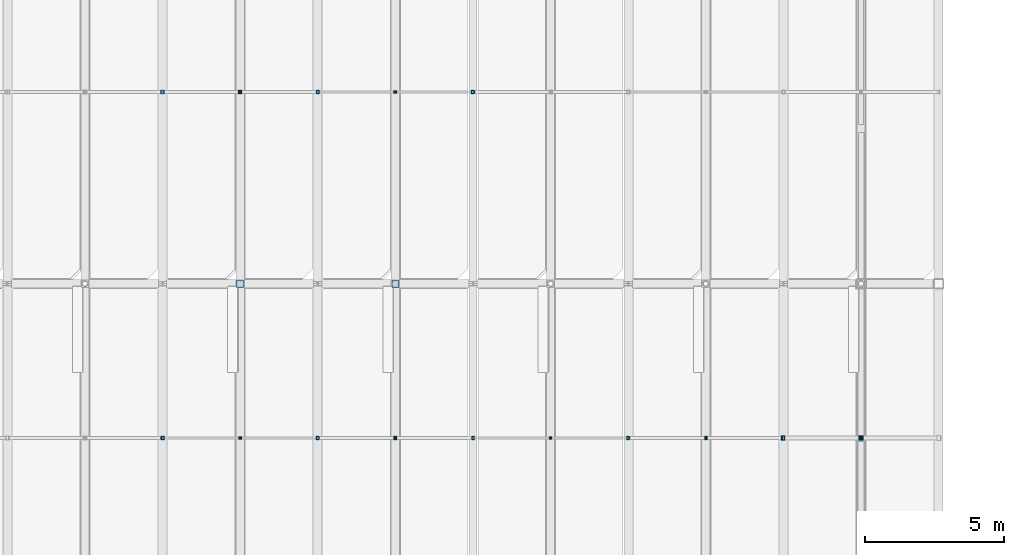
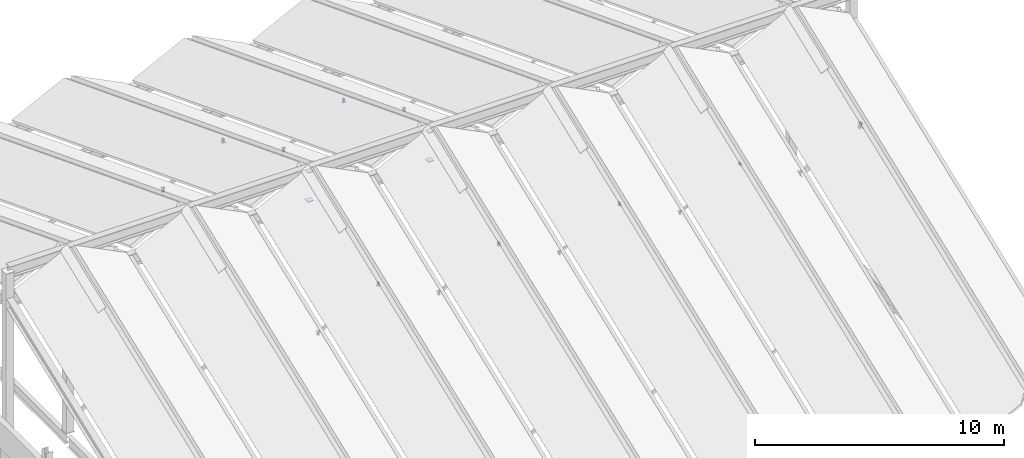
# One storey, part 33 of 49: 34 plates.
"""IFC4 building model written with IfcOpenShell, lengths in metres."""

from ifc_helpers import new_model, si_unit, direction, frame, origin, origin_2d, place, context, subcontext, project, spatial, rectangle, extrude, material, material_profile, profile_set, type_object, element, save


model = new_model("IFC4")

# Units and contexts
model_context = context("Model", 3, precision=1e-05, world=origin(), true_north=direction((0.0, 1.0)))
body_context = subcontext(model_context, "Body", "Model", "MODEL_VIEW")
ifc_project = project(units=[si_unit("LENGTHUNIT", "METRE"), si_unit("AREAUNIT", "SQUARE_METRE"), si_unit("VOLUMEUNIT", "CUBIC_METRE"), si_unit("PLANEANGLEUNIT", "RADIAN"), si_unit("MASSUNIT", "GRAM", prefix="KILO")], contexts=[model_context])

# Site, building, storey
site_placement = place(None, origin())
site = spatial("IfcSite", under=ifc_project, at=site_placement, CompositionType="ELEMENT")
building_placement = place(site_placement, origin())
building = spatial("IfcBuilding", under=site, at=building_placement, Name="Vinh Khe Railworks Police Headquarters", CompositionType="ELEMENT")
storey_placement = place(building_placement, frame((0.0, 0.0, 17.10009765625)))
storey = spatial("IfcBuildingStorey", under=building, at=storey_placement, Name="L04", CompositionType="ELEMENT", Elevation=17.10009765625)

# Plates
ifc_material = material(Name="Steel S355JR", Category="steel")
ifc_material_profile_1 = material_profile(ifc_material, rectangle(XDim=0.1201171875, YDim=0.159912109375, at=origin_2d()), Name="PL 120x160")
ifc_profile_set_1 = profile_set([ifc_material_profile_1], Name="Steel S355JR")
plate_type_1 = type_object("IfcPlateType", Name="Steel End-Cap Plate 120x160x24", PredefinedType="SHEET", material=ifc_profile_set_1)
for number, where, z_axis, x_axis, name in (
    (1, (46.0, 36.432861328125, 5.260009765625), (-0.894427191, 0.0, -0.4472135955), (0.0, -1.0, 0.0), "End-Cap Gusset Plate PLT-EP-0444"),
    (2, (48.800048828125, 36.432861328125, 6.659912109375), (-0.894427191, 0.0, 0.4472135955), (0.0, -1.0, 0.0), "End-Cap Gusset Plate PLT-EP-0470"),
    (3, (48.800048828125, 36.432861328125, 6.659912109375), (0.894427191, 0.0, 0.4472135955), (0.0, 1.0, 0.0), "End-Cap Gusset Plate PLT-EP-0471"),
    (4, (51.60009765625, 36.432861328125, 5.260009765625), (0.894427191, 0.0, -0.4472135955), (0.0, 1.0, 0.0), "End-Cap Gusset Plate PLT-EP-0515"),
):
    element("IfcPlate", number, at=place(storey_placement, frame(where, z_axis=z_axis, x_axis=x_axis)), inside=storey, type_object=plate_type_1, Name=name, PredefinedType="SHEET", context=body_context, shape_type="SweptSolid", body=[
        extrude(rectangle(XDim=0.1201171875, YDim=0.159912109375, at=origin_2d()), origin(), (0.0, 0.0, 1.0), 0.02392578125),
    ])
ifc_material_profile_2 = material_profile(ifc_material, rectangle(XDim=0.1201171875, YDim=0.199951171875, at=origin_2d()), Name="PL 120x200")
ifc_profile_set_2 = profile_set([ifc_material_profile_2], Name="Steel S355JR")
plate_type_2 = type_object("IfcPlateType", Name="Steel End-Cap Plate 120x200x24", PredefinedType="SHEET", material=ifc_profile_set_2)
for number, where, z_axis, x_axis, name in (
    (5, (34.800048828125, 36.432861328125, 5.239990234375), (-0.894427191, 0.0, -0.4472135955), (0.0, -1.0, 0.0), "End-Cap Gusset Plate PLT-EP-0329"),
    (6, (37.60009765625, 36.432861328125, 6.64013671875), (-0.898473867353, 0.0, 0.439027003366), (0.0, -1.0, 0.0), "End-Cap Gusset Plate PLT-EP-0370"),
    (7, (37.60009765625, 36.432861328125, 6.64013671875), (0.898473867353, 0.0, 0.439027003366), (0.0, 1.0, 0.0), "End-Cap Gusset Plate PLT-EP-0371"),
    (8, (40.39990234375, 36.432861328125, 5.239990234375), (0.894427191, 0.0, -0.4472135955), (0.0, 1.0, 0.0), "End-Cap Gusset Plate PLT-EP-0391"),
    (9, (40.39990234375, 48.9140625, 4.7177734375), (-0.894427191, 0.0, -0.4472135955), (0.0, -1.0, 0.0), "End-Cap Gusset Plate PLT-EP-0392"),
    (10, (43.199951171875, 48.9140625, 6.11767578125), (-0.894427191, 0.0, 0.4472135955), (0.0, -1.0, 0.0), "End-Cap Gusset Plate PLT-EP-0420"),
    (11, (43.199951171875, 48.9140625, 6.11767578125), (0.894427191, 0.0, 0.4472135955), (0.0, 1.0, 0.0), "End-Cap Gusset Plate PLT-EP-0421"),
    (12, (46.0, 48.9140625, 4.7177734375), (0.894427191, 0.0, -0.4472135955), (0.0, 1.0, 0.0), "End-Cap Gusset Plate PLT-EP-0446"),
):
    element("IfcPlate", number, at=place(storey_placement, frame(where, z_axis=z_axis, x_axis=x_axis)), inside=storey, type_object=plate_type_2, Name=name, PredefinedType="SHEET", context=body_context, shape_type="SweptSolid", body=[
        extrude(rectangle(XDim=0.1201171875, YDim=0.199951171875, at=origin_2d()), origin(), (0.0, 0.0, 1.0), 0.02392578125),
    ])
ifc_material_profile_3 = material_profile(ifc_material, rectangle(XDim=0.139892578125, YDim=0.139892578125, at=origin_2d()), Name="PL 140x140")
ifc_profile_set_3 = profile_set([ifc_material_profile_3], Name="Steel S355JR")
plate_type_3 = type_object("IfcPlateType", Name="Steel End-Cap Plate 140x140x24", PredefinedType="SHEET", material=ifc_profile_set_3)
for number, where, z_axis, x_axis, name in (
    (13, (51.60009765625, 36.432861328125, 5.27001953125), (-0.894427191, 0.0, -0.4472135955), (0.0, -1.0, 0.0), "End-Cap Gusset Plate PLT-EP-0514"),
    (14, (54.39990234375, 36.432861328125, 6.669921875), (-0.894427191, 0.0, 0.4472135955), (0.0, -1.0, 0.0), "End-Cap Gusset Plate PLT-EP-0532"),
    (15, (54.39990234375, 36.432861328125, 6.669921875), (0.894427191, 0.0, 0.4472135955), (0.0, 1.0, 0.0), "End-Cap Gusset Plate PLT-EP-0533"),
    (16, (57.199951171875, 36.432861328125, 5.27001953125), (0.894427191, 0.0, -0.4472135955), (0.0, 1.0, 0.0), "End-Cap Gusset Plate PLT-EP-0545"),
):
    element("IfcPlate", number, at=place(storey_placement, frame(where, z_axis=z_axis, x_axis=x_axis)), inside=storey, type_object=plate_type_3, Name=name, PredefinedType="SHEET", context=body_context, shape_type="SweptSolid", body=[
        extrude(rectangle(XDim=0.139892578125, YDim=0.139892578125, at=origin_2d()), origin(), (0.0, 0.0, 1.0), 0.02392578125),
    ])
ifc_material_profile_4 = material_profile(ifc_material, rectangle(XDim=0.139892578125, YDim=0.18994140625, at=origin_2d()), Name="PL 140x190")
ifc_profile_set_4 = profile_set([ifc_material_profile_4], Name="Steel S355JR")
plate_type_4 = type_object("IfcPlateType", Name="Steel End-Cap Plate 140x190x24", PredefinedType="SHEET", material=ifc_profile_set_4)
for number, where, z_axis, x_axis, name in (
    (17, (40.39990234375, 36.432861328125, 5.2451171875), (-0.894427191, 0.0, -0.4472135955), (0.0, -1.0, 0.0), "End-Cap Gusset Plate PLT-EP-0390"),
    (18, (43.199951171875, 36.432861328125, 6.64501953125), (-0.894427191, 0.0, 0.4472135955), (0.0, -1.0, 0.0), "End-Cap Gusset Plate PLT-EP-0416"),
    (19, (43.199951171875, 36.432861328125, 6.64501953125), (0.894427191, 0.0, 0.4472135955), (0.0, 1.0, 0.0), "End-Cap Gusset Plate PLT-EP-0417"),
    (20, (46.0, 36.432861328125, 5.2451171875), (0.894427191, 0.0, -0.4472135955), (0.0, 1.0, 0.0), "End-Cap Gusset Plate PLT-EP-0445"),
    (21, (46.0, 48.9140625, 4.722900390625), (-0.894427191, 0.0, -0.4472135955), (0.0, -1.0, 0.0), "End-Cap Gusset Plate PLT-EP-0447"),
):
    element("IfcPlate", number, at=place(storey_placement, frame(where, z_axis=z_axis, x_axis=x_axis)), inside=storey, type_object=plate_type_4, Name=name, PredefinedType="SHEET", context=body_context, shape_type="SweptSolid", body=[
        extrude(rectangle(XDim=0.139892578125, YDim=0.18994140625, at=origin_2d()), origin(), (0.0, 0.0, 1.0), 0.02392578125),
    ])
ifc_material_profile_5 = material_profile(ifc_material, rectangle(XDim=0.139892578125, YDim=0.219970703125, at=origin_2d()), Name="PL 140x220")
ifc_profile_set_5 = profile_set([ifc_material_profile_5], Name="Steel S355JR")
plate_type_5 = type_object("IfcPlateType", Name="Steel End-Cap Plate 140x220x24", PredefinedType="SHEET", material=ifc_profile_set_5)
for number, where, z_axis, x_axis, name in (
    (22, (34.800048828125, 36.432861328125, 5.22998046875), (0.894427191, 0.0, -0.4472135955), (0.0, 1.0, 0.0), "End-Cap Gusset Plate PLT-EP-0328"),
    (23, (34.800048828125, 48.9140625, 4.707763671875), (-0.894427191, 0.0, -0.4472135955), (0.0, -1.0, 0.0), "End-Cap Gusset Plate PLT-EP-0330"),
    (24, (37.60009765625, 48.9140625, 6.10791015625), (-0.898473867353, 0.0, 0.439027003366), (0.0, -1.0, 0.0), "End-Cap Gusset Plate PLT-EP-0374"),
    (25, (37.60009765625, 48.9140625, 6.10791015625), (0.898473867353, 0.0, 0.439027003366), (0.0, 1.0, 0.0), "End-Cap Gusset Plate PLT-EP-0375"),
    (26, (40.39990234375, 48.9140625, 4.707763671875), (0.894427191, 0.0, -0.4472135955), (0.0, 1.0, 0.0), "End-Cap Gusset Plate PLT-EP-0393"),
):
    element("IfcPlate", number, at=place(storey_placement, frame(where, z_axis=z_axis, x_axis=x_axis)), inside=storey, type_object=plate_type_5, Name=name, PredefinedType="SHEET", context=body_context, shape_type="SweptSolid", body=[
        extrude(rectangle(XDim=0.139892578125, YDim=0.219970703125, at=origin_2d()), origin(), (0.0, 0.0, 1.0), 0.02392578125),
    ])
ifc_material_profile_6 = material_profile(ifc_material, rectangle(XDim=0.139892578125, YDim=0.239990234375, at=origin_2d()), Name="PL 140x240")
ifc_profile_set_6 = profile_set([ifc_material_profile_6], Name="Steel S355JR")
plate_type_6 = type_object("IfcPlateType", Name="Steel End-Cap Plate 140x240x24", PredefinedType="SHEET", material=ifc_profile_set_6)
plate_placement = place(storey_placement, frame((34.800048828125, 48.9140625, 4.69775390625), z_axis=(0.894427191, 0.0, -0.4472135955), x_axis=(0.0, 1.0, 0.0)))
element("IfcPlate", 27, at=plate_placement, inside=storey, type_object=plate_type_6, Name="End-Cap Gusset Plate PLT-EP-0331", PredefinedType="SHEET", context=body_context, shape_type="SweptSolid", body=[
    extrude(rectangle(XDim=0.139892578125, YDim=0.239990234375, at=origin_2d()), origin(), (0.0, 0.0, 1.0), 0.02392578125),
])
ifc_material_profile_7 = material_profile(ifc_material, rectangle(XDim=0.18994140625, YDim=0.2900390625, at=origin_2d()), Name="PL 190x290")
ifc_profile_set_7 = profile_set([ifc_material_profile_7], Name="Steel S355JR")
plate_type_7 = type_object("IfcPlateType", Name="Steel End-Cap Plate 190x290x24", PredefinedType="SHEET", material=ifc_profile_set_7)
for number, where, z_axis, x_axis, name in (
    (28, (57.199951171875, 36.432861328125, 5.195068359375), (-0.894427191, 0.0, -0.4472135955), (0.0, -1.0, 0.0), "End-Cap Gusset Plate PLT-EP-0544"),
    (29, (60.0, 36.432861328125, 6.594970703125), (-0.894427191, 0.0, 0.4472135955), (0.0, -1.0, 0.0), "End-Cap Gusset Plate PLT-EP-0562"),
    (30, (60.0, 36.432861328125, 6.594970703125), (0.894427191, 0.0, 0.4472135955), (0.0, 1.0, 0.0), "End-Cap Gusset Plate PLT-EP-0563"),
):
    element("IfcPlate", number, at=place(storey_placement, frame(where, z_axis=z_axis, x_axis=x_axis)), inside=storey, type_object=plate_type_7, Name=name, PredefinedType="SHEET", context=body_context, shape_type="SweptSolid", body=[
        extrude(rectangle(XDim=0.18994140625, YDim=0.2900390625, at=origin_2d()), origin(), (0.0, 0.0, 1.0), 0.02392578125),
    ])
ifc_material_profile_8 = material_profile(ifc_material, rectangle(XDim=0.259033203125, YDim=0.259033203125, at=origin_2d()), Name="PL 259x259")
ifc_profile_set_8 = profile_set([ifc_material_profile_8], Name="Steel S355JR")
plate_type_8 = type_object("IfcPlateType", Name="Steel End-Cap Plate 259x259x24", PredefinedType="SHEET", material=ifc_profile_set_8)
for number, where, z_axis, x_axis, name in (
    (31, (37.60009765625, 42.0, 7.40869140625), (0.0, 0.0, -1.0), (1.0, 0.0, 0.0), "End-Cap Gusset Plate PLT-EP-0372"),
    (32, (37.60009765625, 42.0, 8.808837890625), (0.0, 0.0, 1.0), (1.0, 0.0, 0.0), "End-Cap Gusset Plate PLT-EP-0373"),
    (33, (43.199951171875, 42.0, 7.40869140625), (0.0, 0.0, -1.0), (1.0, 0.0, 0.0), "End-Cap Gusset Plate PLT-EP-0418"),
    (34, (43.199951171875, 42.0, 8.808837890625), (0.0, 0.0, 1.0), (1.0, 0.0, 0.0), "End-Cap Gusset Plate PLT-EP-0419"),
):
    element("IfcPlate", number, at=place(storey_placement, frame(where, z_axis=z_axis, x_axis=x_axis)), inside=storey, type_object=plate_type_8, Name=name, PredefinedType="SHEET", context=body_context, shape_type="SweptSolid", body=[
        extrude(rectangle(XDim=0.259033203125, YDim=0.259033203125, at=origin_2d()), origin(), (0.0, 0.0, 1.0), 0.02392578125),
    ])

save(model, "model.ifc")
